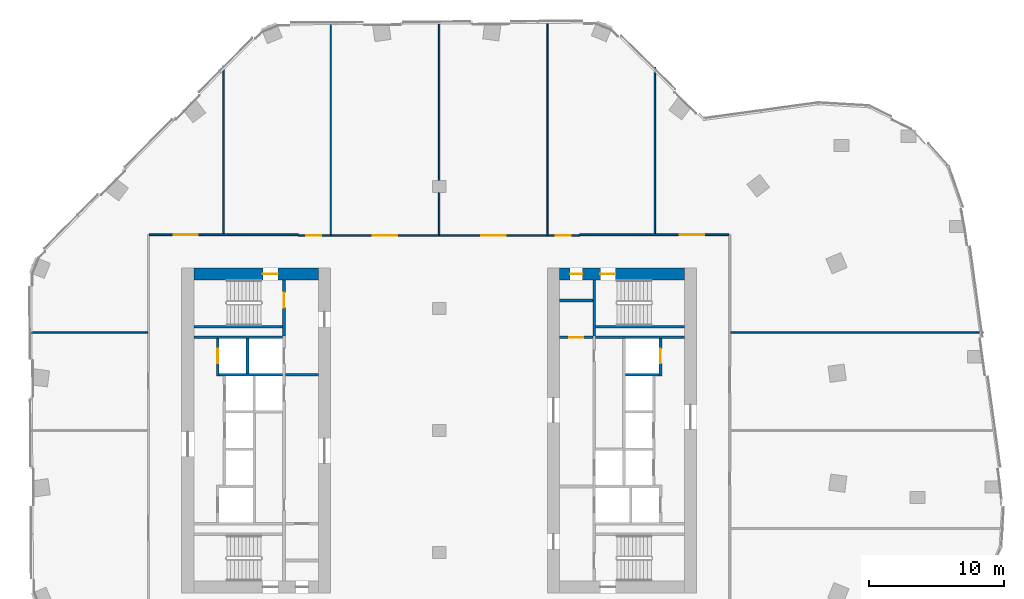
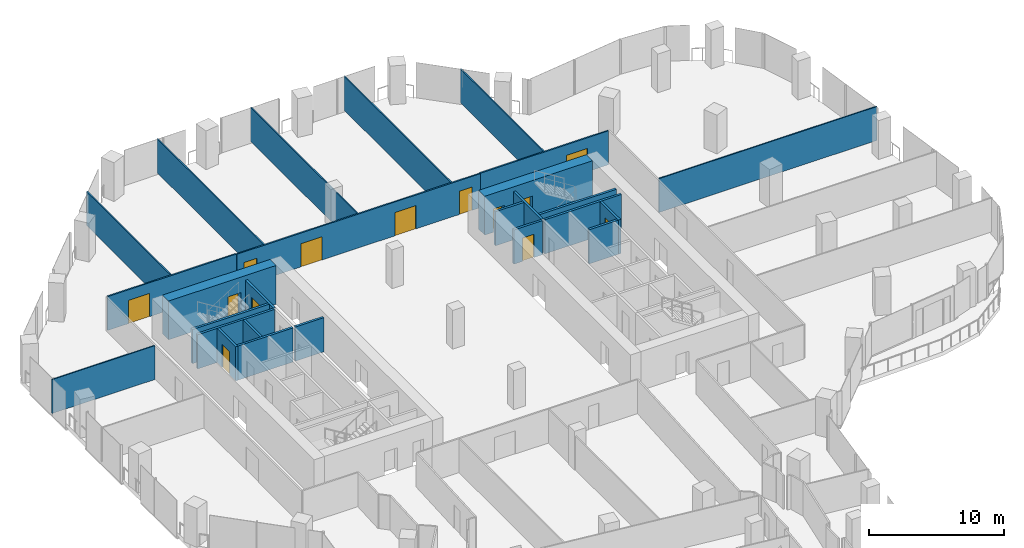
# One storey, part 23 of 29: 26 walls, 13 doors, 13 openings.
"""IFC4 building model written with IfcOpenShell, lengths in metres."""

from ifc_helpers import new_model, si_unit, direction, frame, frame_2d, origin, place, context, subcontext, project, spatial, rectangle, extrude, material, layer, layer_set, type_object, element, fill, save


model = new_model("IFC4")

# Units and contexts
model_context = context("Model", 3, precision=1e-05, world=origin(), true_north=direction((0.0, 1.0)))
body_context = subcontext(model_context, "Body", "Model", "MODEL_VIEW")
ifc_project = project(units=[si_unit("LENGTHUNIT", "METRE"), si_unit("AREAUNIT", "SQUARE_METRE"), si_unit("VOLUMEUNIT", "CUBIC_METRE"), si_unit("PLANEANGLEUNIT", "RADIAN"), si_unit("MASSUNIT", "GRAM", prefix="KILO")], contexts=[model_context])

# Site, building, storey
site_placement = place(None, origin())
site = spatial("IfcSite", under=ifc_project, at=site_placement, CompositionType="ELEMENT")
building_placement = place(site_placement, origin())
building = spatial("IfcBuilding", under=site, at=building_placement, Name="Orlundy Tower", CompositionType="ELEMENT")
storey_placement = place(building_placement, frame((0.0, 0.0, 188.60009765625)))
storey = spatial("IfcBuildingStorey", under=building, at=storey_placement, Name="L49", CompositionType="ELEMENT", Elevation=188.60009765625)

# Wall, opening, door
ifc_material_1 = material(Name="Concrete C70/85", Category="concrete")
ifc_layer_1 = layer(ifc_material_1, 0.89990234375)
ifc_layer_set_1 = layer_set([ifc_layer_1], Name="CORE WALL 900 C70/85")
wall_type_1 = type_object("IfcWallType", Name="CORE WALL 900 C70/85", PredefinedType="SHEAR", material=ifc_layer_set_1)
wall_1_placement = place(storey_placement, frame((-18.10009765625, 11.550048828125, 0.0), z_axis=(0.0, 0.0, 1.0), x_axis=(1.0, 0.0, 0.0)))
wall_1 = element("IfcWall", 1, at=wall_1_placement, inside=storey, type_object=wall_type_1, Name="Core wall W-N L49", PredefinedType="SHEAR", context=body_context, shape_type="SweptSolid", body=[
    extrude(rectangle(XDim=9.2001953125, YDim=0.89990234375, at=frame_2d((4.60009765625, 0.0))), origin(), (0.0, 0.0, 1.0), 3.5),
])
opening_1_placement = place(wall_1_placement, frame((5.10009765625, 0.0, 0.0)))
opening_1 = element("IfcOpeningElement", 2, at=opening_1_placement, cuts=wall_1, Name="Opening 38011", PredefinedType="OPENING", context=body_context, shape_type="SweptSolid", body=[
    extrude(rectangle(XDim=1.10009765625, YDim=2.10009765625, at=frame_2d((0.550048828125, 1.050048828125))), frame((0.0, 0.4599609375, 0.0), z_axis=(0.0, -1.0, 0.0), x_axis=(1.0, 0.0, 0.0)), (0.0, 0.0, 1.0), 0.919921875),
])
ifc_material_2 = material(Name="Steel door set", Category="steel")
door_type_1 = type_object("IfcDoorType", Name="Stair Door 1100x2100", OperationType="SINGLE_SWING_LEFT", PredefinedType="DOOR", material=ifc_material_2)
door_1_placement = place(opening_1_placement, origin())
door_1 = element("IfcDoor", 3, at=door_1_placement, inside=storey, type_object=door_type_1, Name="Stair door 38011", OperationType="SINGLE_SWING_RIGHT", OverallHeight=2.10009765625, OverallWidth=1.10009765625, PredefinedType="DOOR", context=body_context, shape_type="SweptSolid", body=[
    extrude(rectangle(XDim=1.10009765625, YDim=2.10009765625, at=frame_2d((0.550048828125, 1.050048828125))), frame((0.0, 0.02490234375, 0.0), z_axis=(0.0, -1.0, 0.0), x_axis=(1.0, 0.0, 0.0)), (0.0, 0.0, 1.0), 0.050048828125),
])
fill(opening_1, door_1)

# Wall, openings, doors
wall_2_placement = place(storey_placement, frame((8.89990234375, 11.550048828125, 0.0), z_axis=(0.0, 0.0, 1.0), x_axis=(1.0, 0.0, 0.0)))
wall_2 = element("IfcWall", 4, at=wall_2_placement, inside=storey, type_object=wall_type_1, Name="Core wall E-N L49", PredefinedType="SHEAR", context=body_context, shape_type="SweptSolid", body=[
    extrude(rectangle(XDim=9.2001953125, YDim=0.89990234375, at=frame_2d((4.60009765625, 0.0))), origin(), (0.0, 0.0, 1.0), 3.5),
])
opening_2_placement = place(wall_2_placement, frame((3.0, 0.0, 0.0)))
opening_2 = element("IfcOpeningElement", 5, at=opening_2_placement, cuts=wall_2, Name="Opening 38061", PredefinedType="OPENING", context=body_context, shape_type="SweptSolid", body=[
    extrude(rectangle(XDim=1.10009765625, YDim=2.10009765625, at=frame_2d((0.550048828125, 1.050048828125))), frame((0.0, 0.4599609375, 0.0), z_axis=(0.0, -1.0, 0.0), x_axis=(1.0, 0.0, 0.0)), (0.0, 0.0, 1.0), 0.919921875),
])
opening_3_placement = place(wall_2_placement, frame((0.77001953125, 0.0, 0.0)))
opening_3 = element("IfcOpeningElement", 6, at=opening_3_placement, cuts=wall_2, Name="Opening 38063", PredefinedType="OPENING", context=body_context, shape_type="SweptSolid", body=[
    extrude(rectangle(XDim=0.89990234375, YDim=2.10009765625, at=frame_2d((0.449951171875, 1.050048828125))), frame((0.0, 0.4599609375, 0.0), z_axis=(0.0, -1.0, 0.0), x_axis=(1.0, 0.0, 0.0)), (0.0, 0.0, 1.0), 0.919921875),
])
ifc_material_3 = material(Name="Timber door set", Category="wood")
door_type_2 = type_object("IfcDoorType", Name="Room Door 900x2100", OperationType="SINGLE_SWING_LEFT", PredefinedType="DOOR", material=ifc_material_3)
door_2_placement = place(opening_3_placement, origin())
door_2 = element("IfcDoor", 7, at=door_2_placement, inside=storey, type_object=door_type_2, Name="Store door 38063", OperationType="SINGLE_SWING_LEFT", OverallHeight=2.10009765625, OverallWidth=0.89990234375, PredefinedType="DOOR", context=body_context, shape_type="SweptSolid", body=[
    extrude(rectangle(XDim=0.89990234375, YDim=2.10009765625, at=frame_2d((0.449951171875, 1.050048828125))), frame((0.0, 0.02490234375, 0.0), z_axis=(0.0, -1.0, 0.0), x_axis=(1.0, 0.0, 0.0)), (0.0, 0.0, 1.0), 0.050048828125),
])
fill(opening_3, door_2)
door_3_placement = place(opening_2_placement, origin())
door_3 = element("IfcDoor", 8, at=door_3_placement, inside=storey, type_object=door_type_1, Name="Stair door 38061", OperationType="SINGLE_SWING_LEFT", OverallHeight=2.10009765625, OverallWidth=1.10009765625, PredefinedType="DOOR", context=body_context, shape_type="SweptSolid", body=[
    extrude(rectangle(XDim=1.10009765625, YDim=2.10009765625, at=frame_2d((0.550048828125, 1.050048828125))), frame((0.0, 0.02490234375, 0.0), z_axis=(0.0, -1.0, 0.0), x_axis=(1.0, 0.0, 0.0)), (0.0, 0.0, 1.0), 0.050048828125),
])
fill(opening_2, door_3)

# Walls
ifc_material_4 = material(Name="Gypsum board partition")
ifc_layer_2 = layer(ifc_material_4, 0.10009765625)
ifc_layer_set_2 = layer_set([ifc_layer_2], Name="Floor partition 100")
wall_type_2 = type_object("IfcWallType", Name="Floor partition 100", PredefinedType="PARTITIONING", material=ifc_layer_set_2)
wall_3_placement = place(storey_placement, frame((-30.29296875, 7.22412109375, 0.0), z_axis=(0.0, 0.0, 1.0), x_axis=(1.0, 0.0, 0.0)))
element("IfcWall", 9, at=wall_3_placement, inside=storey, type_object=wall_type_2, Name="wall-int-L49-037", PredefinedType="PARTITIONING", context=body_context, shape_type="SweptSolid", body=[
    extrude(rectangle(XDim=8.781005859375, YDim=0.10009765625, at=frame_2d((4.390625, 0.0))), origin(), (0.0, 0.0, 1.0), 3.059814453125),
])
wall_4_placement = place(storey_placement, frame((21.511962890625, 7.22412109375, 0.0), z_axis=(0.0, 0.0, 1.0), x_axis=(1.0, 0.0, 0.0)))
element("IfcWall", 10, at=wall_4_placement, inside=storey, type_object=wall_type_2, Name="wall-int-L49-038", PredefinedType="PARTITIONING", context=body_context, shape_type="SweptSolid", body=[
    extrude(rectangle(XDim=18.6279296875, YDim=0.10009765625, at=frame_2d((9.31396484375, 0.0))), origin(), (0.0, 0.0, 1.0), 3.059814453125),
])
wall_5_placement = place(storey_placement, frame((15.9208984375, 14.513916015625, 0.0), z_axis=(0.0, 0.0, 1.0), x_axis=(0.0, 1.0, 0.0)))
element("IfcWall", 11, at=wall_5_placement, inside=storey, type_object=wall_type_2, Name="wall-int-L49-073", PredefinedType="PARTITIONING", context=body_context, shape_type="SweptSolid", body=[
    extrude(rectangle(XDim=12.283203125, YDim=0.10009765625, at=frame_2d((6.1416015625, 0.0))), origin(), (0.0, 0.0, 1.0), 3.059814453125),
])
wall_6_placement = place(storey_placement, frame((8.0, 14.462890625, 0.0), z_axis=(0.0, 0.0, 1.0), x_axis=(0.0, 1.0, 0.0)))
element("IfcWall", 12, at=wall_6_placement, inside=storey, type_object=wall_type_2, Name="wall-int-L49-076", PredefinedType="PARTITIONING", context=body_context, shape_type="SweptSolid", body=[
    extrude(rectangle(XDim=15.834228515625, YDim=0.10009765625, at=frame_2d((7.9169921875, 0.0))), origin(), (0.0, 0.0, 1.0), 3.059814453125),
])
wall_7_placement = place(storey_placement, frame((0.0, 14.462890625, 0.0), z_axis=(0.0, 0.0, 1.0), x_axis=(0.0, 1.0, 0.0)))
element("IfcWall", 13, at=wall_7_placement, inside=storey, type_object=wall_type_2, Name="wall-int-L49-080", PredefinedType="PARTITIONING", context=body_context, shape_type="SweptSolid", body=[
    extrude(rectangle(XDim=15.7880859375, YDim=0.10009765625, at=frame_2d((7.89404296875, 0.0))), origin(), (0.0, 0.0, 1.0), 3.059814453125),
])
wall_8_placement = place(storey_placement, frame((-8.0, 14.462890625, 0.0), z_axis=(0.0, 0.0, 1.0), x_axis=(0.0, 1.0, 0.0)))
element("IfcWall", 14, at=wall_8_placement, inside=storey, type_object=wall_type_2, Name="wall-int-L49-083", PredefinedType="PARTITIONING", context=body_context, shape_type="SweptSolid", body=[
    extrude(rectangle(XDim=15.7412109375, YDim=0.10009765625, at=frame_2d((7.87060546875, 0.0))), origin(), (0.0, 0.0, 1.0), 3.059814453125),
])
wall_9_placement = place(storey_placement, frame((-15.919921875, 14.513916015625, 0.0), z_axis=(0.0, 0.0, 1.0), x_axis=(0.0, 1.0, 0.0)))
element("IfcWall", 15, at=wall_9_placement, inside=storey, type_object=wall_type_2, Name="wall-int-L49-084", PredefinedType="PARTITIONING", context=body_context, shape_type="SweptSolid", body=[
    extrude(rectangle(XDim=12.4111328125, YDim=0.10009765625, at=frame_2d((6.20556640625, 0.0))), origin(), (0.0, 0.0, 1.0), 3.059814453125),
])

# Wall, openings, doors
ifc_material_5 = material(Name="Gypsum board partition, double layer")
ifc_layer_3 = layer(ifc_material_5, 0.125)
ifc_layer_set_3 = layer_set([ifc_layer_3], Name="Floor partition 125")
wall_type_3 = type_object("IfcWallType", Name="Floor partition 125", PredefinedType="PARTITIONING", material=ifc_layer_set_3)
wall_10_placement = place(storey_placement, frame((-10.389892578125, 14.40087890625, 0.0), z_axis=(0.0, 0.0, 1.0), x_axis=(1.0, 0.0, 0.0)))
wall_10 = element("IfcWall", 16, at=wall_10_placement, inside=storey, type_object=wall_type_3, Name="wall-int-L49-039", PredefinedType="PARTITIONING", context=body_context, shape_type="SweptSolid", body=[
    extrude(rectangle(XDim=20.781005859375, YDim=0.125, at=frame_2d((10.390625, 0.0))), origin(), (0.0, 0.0, 1.0), 3.059814453125),
])
opening_4_placement = place(wall_10_placement, frame((18.989990234375, 0.0, 0.0)))
opening_4 = element("IfcOpeningElement", 17, at=opening_4_placement, cuts=wall_10, Name="Opening 38121", PredefinedType="OPENING", context=body_context, shape_type="SweptSolid", body=[
    extrude(rectangle(XDim=1.10009765625, YDim=2.10009765625, at=frame_2d((0.550048828125, 1.050048828125))), frame((0.0, 0.072509765625, 0.0), z_axis=(0.0, -1.0, 0.0), x_axis=(1.0, 0.0, 0.0)), (0.0, 0.0, 1.0), 0.14501953125),
])
opening_5_placement = place(wall_10_placement, frame((13.489990234375, 0.0, 0.0)))
opening_5 = element("IfcOpeningElement", 18, at=opening_5_placement, cuts=wall_10, Name="Opening 38122", PredefinedType="OPENING", context=body_context, shape_type="SweptSolid", body=[
    extrude(rectangle(XDim=1.800048828125, YDim=2.10009765625, at=frame_2d((0.89990234375, 1.050048828125))), frame((0.0, 0.072509765625, 0.0), z_axis=(0.0, -1.0, 0.0), x_axis=(1.0, 0.0, 0.0)), (0.0, 0.0, 1.0), 0.14501953125),
])
opening_6_placement = place(wall_10_placement, frame((5.489990234375, 0.0, 0.0)))
opening_6 = element("IfcOpeningElement", 19, at=opening_6_placement, cuts=wall_10, Name="Opening 38123", PredefinedType="OPENING", context=body_context, shape_type="SweptSolid", body=[
    extrude(rectangle(XDim=1.800048828125, YDim=2.10009765625, at=frame_2d((0.89990234375, 1.050048828125))), frame((0.0, 0.072509765625, 0.0), z_axis=(0.0, -1.0, 0.0), x_axis=(1.0, 0.0, 0.0)), (0.0, 0.0, 1.0), 0.14501953125),
])
opening_7_placement = place(wall_10_placement, frame((0.60009765625, 0.0, 0.0)))
opening_7 = element("IfcOpeningElement", 20, at=opening_7_placement, cuts=wall_10, Name="Opening 38124", PredefinedType="OPENING", context=body_context, shape_type="SweptSolid", body=[
    extrude(rectangle(XDim=1.10009765625, YDim=2.10009765625, at=frame_2d((0.550048828125, 1.050048828125))), frame((0.0, 0.072509765625, 0.0), z_axis=(0.0, -1.0, 0.0), x_axis=(1.0, 0.0, 0.0)), (0.0, 0.0, 1.0), 0.14501953125),
])
ifc_material_6 = material(Name="Timber door leaf", Category="wood")
door_type_3 = type_object("IfcDoorType", Name="Floor door double 1800 FD30S", OperationType="NOTDEFINED", PredefinedType="DOOR", material=ifc_material_6)
door_4_placement = place(opening_5_placement, origin())
door_4 = element("IfcDoor", 21, at=door_4_placement, inside=storey, type_object=door_type_3, Name="Door 38122", OperationType="DOUBLE_DOOR_SINGLE_SWING", OverallHeight=2.10009765625, OverallWidth=1.800048828125, PredefinedType="DOOR", context=body_context, shape_type="SweptSolid", body=[
    extrude(rectangle(XDim=1.800048828125, YDim=2.10009765625, at=frame_2d((0.89990234375, 1.050048828125))), frame((0.0, 0.02490234375, 0.0), z_axis=(0.0, -1.0, 0.0), x_axis=(1.0, 0.0, 0.0)), (0.0, 0.0, 1.0), 0.050048828125),
])
fill(opening_5, door_4)
door_5_placement = place(opening_6_placement, origin())
door_5 = element("IfcDoor", 22, at=door_5_placement, inside=storey, type_object=door_type_3, Name="Door 38123", OperationType="DOUBLE_DOOR_SINGLE_SWING", OverallHeight=2.10009765625, OverallWidth=1.800048828125, PredefinedType="DOOR", context=body_context, shape_type="SweptSolid", body=[
    extrude(rectangle(XDim=1.800048828125, YDim=2.10009765625, at=frame_2d((0.89990234375, 1.050048828125))), frame((0.0, 0.02490234375, 0.0), z_axis=(0.0, -1.0, 0.0), x_axis=(1.0, 0.0, 0.0)), (0.0, 0.0, 1.0), 0.050048828125),
])
fill(opening_6, door_5)
ifc_material_7 = material(Name="Timber door leaf", Category="wood")
door_type_4 = type_object("IfcDoorType", Name="Floor door xwide 1100 FD30S", OperationType="NOTDEFINED", PredefinedType="DOOR", material=ifc_material_7)
door_6_placement = place(opening_4_placement, origin())
door_6 = element("IfcDoor", 23, at=door_6_placement, inside=storey, type_object=door_type_4, Name="Door 38121", OperationType="SINGLE_SWING_RIGHT", OverallHeight=2.10009765625, OverallWidth=1.10009765625, PredefinedType="DOOR", context=body_context, shape_type="SweptSolid", body=[
    extrude(rectangle(XDim=1.10009765625, YDim=2.10009765625, at=frame_2d((0.550048828125, 1.050048828125))), frame((0.0, 0.02490234375, 0.0), z_axis=(0.0, -1.0, 0.0), x_axis=(1.0, 0.0, 0.0)), (0.0, 0.0, 1.0), 0.050048828125),
])
fill(opening_4, door_6)
door_7_placement = place(opening_7_placement, origin())
door_7 = element("IfcDoor", 24, at=door_7_placement, inside=storey, type_object=door_type_4, Name="Door 38124", OperationType="SINGLE_SWING_LEFT", OverallHeight=2.10009765625, OverallWidth=1.10009765625, PredefinedType="DOOR", context=body_context, shape_type="SweptSolid", body=[
    extrude(rectangle(XDim=1.10009765625, YDim=2.10009765625, at=frame_2d((0.550048828125, 1.050048828125))), frame((0.0, 0.02490234375, 0.0), z_axis=(0.0, -1.0, 0.0), x_axis=(1.0, 0.0, 0.0)), (0.0, 0.0, 1.0), 0.050048828125),
])
fill(opening_7, door_7)

# Wall, opening, door
wall_11_placement = place(storey_placement, frame((-21.386962890625, 14.450927734375, 0.0), z_axis=(0.0, 0.0, 1.0), x_axis=(1.0, 0.0, 0.0)))
wall_11 = element("IfcWall", 25, at=wall_11_placement, inside=storey, type_object=wall_type_3, Name="wall-int-L49-040", PredefinedType="PARTITIONING", context=body_context, shape_type="SweptSolid", body=[
    extrude(rectangle(XDim=10.995849609375, YDim=0.125, at=frame_2d((5.498046875, 0.0))), origin(), (0.0, 0.0, 1.0), 3.059814453125),
])
opening_8_placement = place(wall_11_placement, frame((1.78759765625, 0.0, 0.0)))
opening_8 = element("IfcOpeningElement", 26, at=opening_8_placement, cuts=wall_11, Name="Opening 38125", PredefinedType="OPENING", context=body_context, shape_type="SweptSolid", body=[
    extrude(rectangle(XDim=1.800048828125, YDim=2.10009765625, at=frame_2d((0.89990234375, 1.050048828125))), frame((0.0, 0.072509765625, 0.0), z_axis=(0.0, -1.0, 0.0), x_axis=(1.0, 0.0, 0.0)), (0.0, 0.0, 1.0), 0.14501953125),
])
door_8_placement = place(opening_8_placement, origin())
door_8 = element("IfcDoor", 27, at=door_8_placement, inside=storey, type_object=door_type_3, Name="Door 38125", OperationType="DOUBLE_DOOR_SINGLE_SWING", OverallHeight=2.10009765625, OverallWidth=1.800048828125, PredefinedType="DOOR", context=body_context, shape_type="SweptSolid", body=[
    extrude(rectangle(XDim=1.800048828125, YDim=2.10009765625, at=frame_2d((0.89990234375, 1.050048828125))), frame((0.0, 0.02490234375, 0.0), z_axis=(0.0, -1.0, 0.0), x_axis=(1.0, 0.0, 0.0)), (0.0, 0.0, 1.0), 0.050048828125),
])
fill(opening_8, door_8)

wall_12_placement = place(storey_placement, frame((10.39111328125, 14.450927734375, 0.0), z_axis=(0.0, 0.0, 1.0), x_axis=(1.0, 0.0, 0.0)))
wall_12 = element("IfcWall", 28, at=wall_12_placement, inside=storey, type_object=wall_type_3, Name="wall-int-L49-041", PredefinedType="PARTITIONING", context=body_context, shape_type="SweptSolid", body=[
    extrude(rectangle(XDim=10.995849609375, YDim=0.125, at=frame_2d((5.498046875, 0.0))), origin(), (0.0, 0.0, 1.0), 3.059814453125),
])
opening_9_placement = place(wall_12_placement, frame((7.3798828125, 0.0, 0.0)))
opening_9 = element("IfcOpeningElement", 29, at=opening_9_placement, cuts=wall_12, Name="Opening 38120", PredefinedType="OPENING", context=body_context, shape_type="SweptSolid", body=[
    extrude(rectangle(XDim=1.800048828125, YDim=2.10009765625, at=frame_2d((0.89990234375, 1.050048828125))), frame((0.0, 0.072509765625, 0.0), z_axis=(0.0, -1.0, 0.0), x_axis=(1.0, 0.0, 0.0)), (0.0, 0.0, 1.0), 0.14501953125),
])
door_9_placement = place(opening_9_placement, origin())
door_9 = element("IfcDoor", 30, at=door_9_placement, inside=storey, type_object=door_type_3, Name="Door 38120", OperationType="DOUBLE_DOOR_SINGLE_SWING", OverallHeight=2.10009765625, OverallWidth=1.800048828125, PredefinedType="DOOR", context=body_context, shape_type="SweptSolid", body=[
    extrude(rectangle(XDim=1.800048828125, YDim=2.10009765625, at=frame_2d((0.89990234375, 1.050048828125))), frame((0.0, 0.02490234375, 0.0), z_axis=(0.0, -1.0, 0.0), x_axis=(1.0, 0.0, 0.0)), (0.0, 0.0, 1.0), 0.050048828125),
])
fill(opening_9, door_9)

ifc_material_8 = material(Name="Concrete C40/50", Category="concrete")
ifc_layer_4 = layer(ifc_material_8, 0.199951171875)
ifc_layer_set_4 = layer_set([ifc_layer_4], Name="Load-bearing Shaft Wall 200")
wall_type_4 = type_object("IfcWallType", Name="Load-bearing Shaft Wall 200", PredefinedType="SOLIDWALL", material=ifc_layer_set_4)
wall_13_placement = place(storey_placement, frame((-11.43994140625, 6.97509765625, 0.0), z_axis=(0.0, 0.0, 1.0), x_axis=(0.0, 1.0, 0.0)))
wall_13 = element("IfcWall", 31, at=wall_13_placement, inside=storey, type_object=wall_type_4, Name="Shaft wall W38-stair-end-n", PredefinedType="SOLIDWALL", context=body_context, shape_type="SweptSolid", body=[
    extrude(rectangle(XDim=4.125, YDim=0.199951171875, at=frame_2d((2.0625, 0.0))), origin(), (0.0, 0.0, 1.0), 3.079833984375),
])
opening_10_placement = place(wall_13_placement, frame((2.10009765625, 0.0, 0.0)))
opening_10 = element("IfcOpeningElement", 32, at=opening_10_placement, cuts=wall_13, Name="Opening 38013", PredefinedType="OPENING", context=body_context, shape_type="SweptSolid", body=[
    extrude(rectangle(XDim=1.10009765625, YDim=2.10009765625, at=frame_2d((0.550048828125, 1.050048828125))), frame((0.0, 0.110107421875, 0.0), z_axis=(0.0, -1.0, 0.0), x_axis=(1.0, 0.0, 0.0)), (0.0, 0.0, 1.0), 0.22021484375),
])
ifc_material_9 = material(Name="Steel door set", Category="steel")
door_type_5 = type_object("IfcDoorType", Name="Fire-fighting Lobby Door 1100x2100", OperationType="SINGLE_SWING_LEFT", PredefinedType="DOOR", material=ifc_material_9)
door_10_placement = place(opening_10_placement, origin())
door_10 = element("IfcDoor", 33, at=door_10_placement, inside=storey, type_object=door_type_5, Name="Fire-fighting lobby to stair door 38013", OperationType="SINGLE_SWING_RIGHT", OverallHeight=2.10009765625, OverallWidth=1.10009765625, PredefinedType="DOOR", context=body_context, shape_type="SweptSolid", body=[
    extrude(rectangle(XDim=1.10009765625, YDim=2.10009765625, at=frame_2d((0.550048828125, 1.050048828125))), frame((0.0, 0.02490234375, 0.0), z_axis=(0.0, -1.0, 0.0), x_axis=(1.0, 0.0, 0.0)), (0.0, 0.0, 1.0), 0.050048828125),
])
fill(opening_10, door_10)

# Walls
wall_14_placement = place(storey_placement, frame((-11.5400390625, 7.64990234375, 0.0), z_axis=(0.0, 0.0, 1.0), x_axis=(-1.0, 0.0, 0.0)))
element("IfcWall", 34, at=wall_14_placement, inside=storey, type_object=wall_type_4, Name="Shaft wall W38-stair-side-n", PredefinedType="SOLIDWALL", context=body_context, shape_type="SweptSolid", body=[
    extrude(rectangle(XDim=6.56005859375, YDim=0.199951171875, at=frame_2d((3.280029296875, 0.0))), origin(), (0.0, 0.0, 1.0), 3.079833984375),
])
wall_15_placement = place(storey_placement, frame((11.43994140625, 11.10009765625, 0.0), z_axis=(0.0, 0.0, 1.0), x_axis=(0.0, -1.0, 0.0)))
element("IfcWall", 35, at=wall_15_placement, inside=storey, type_object=wall_type_4, Name="Shaft wall E38-stair-end-s", PredefinedType="SOLIDWALL", context=body_context, shape_type="SweptSolid", body=[
    extrude(rectangle(XDim=4.125, YDim=0.199951171875, at=frame_2d((2.0625, 0.0))), origin(), (0.0, 0.0, 1.0), 3.079833984375),
])
wall_16_placement = place(storey_placement, frame((11.5400390625, 7.64990234375, 0.0), z_axis=(0.0, 0.0, 1.0), x_axis=(1.0, 0.0, 0.0)))
element("IfcWall", 36, at=wall_16_placement, inside=storey, type_object=wall_type_4, Name="Shaft wall E38-stair-side-s", PredefinedType="SOLIDWALL", context=body_context, shape_type="SweptSolid", body=[
    extrude(rectangle(XDim=6.56005859375, YDim=0.199951171875, at=frame_2d((3.280029296875, 0.0))), origin(), (0.0, 0.0, 1.0), 3.079833984375),
])
ifc_material_10 = material(Name="Gypsum board partition on steel studs", Category="steel")
ifc_layer_5 = layer(ifc_material_10, 0.199951171875)
ifc_layer_set_5 = layer_set([ifc_layer_5], Name="Partition 200")
wall_type_5 = type_object("IfcWallType", Name="Partition 200", PredefinedType="PARTITIONING", material=ifc_layer_set_5)
wall_17_placement = place(storey_placement, frame((-8.89990234375, 4.125, 0.0), z_axis=(0.0, 0.0, 1.0), x_axis=(-1.0, 0.0, 0.0)))
element("IfcWall", 37, at=wall_17_placement, inside=storey, type_object=wall_type_5, Name="Partition wall W38-lobby-n", PredefinedType="PARTITIONING", context=body_context, shape_type="SweptSolid", body=[
    extrude(rectangle(XDim=2.440185546875, YDim=0.199951171875, at=frame_2d((1.22021484375, 0.0))), origin(), (0.0, 0.0, 1.0), 3.079833984375),
])

# Wall, opening, door
wall_18_placement = place(storey_placement, frame((8.89990234375, 6.875, 0.0), z_axis=(0.0, 0.0, 1.0), x_axis=(1.0, 0.0, 0.0)))
wall_18 = element("IfcWall", 38, at=wall_18_placement, inside=storey, type_object=wall_type_5, Name="Partition wall E38-end-s", PredefinedType="PARTITIONING", context=body_context, shape_type="SweptSolid", body=[
    extrude(rectangle(XDim=2.440185546875, YDim=0.199951171875, at=frame_2d((1.22021484375, 0.0))), origin(), (0.0, 0.0, 1.0), 3.079833984375),
])
opening_11_placement = place(wall_18_placement, frame((0.719970703125, 0.0, 0.0)))
opening_11 = element("IfcOpeningElement", 39, at=opening_11_placement, cuts=wall_18, Name="Opening 38064", PredefinedType="OPENING", context=body_context, shape_type="SweptSolid", body=[
    extrude(rectangle(XDim=1.0, YDim=2.10009765625, at=frame_2d((0.5, 1.050048828125))), frame((0.0, 0.110107421875, 0.0), z_axis=(0.0, -1.0, 0.0), x_axis=(1.0, 0.0, 0.0)), (0.0, 0.0, 1.0), 0.22021484375),
])
ifc_material_11 = material(Name="Timber door set", Category="wood")
door_type_6 = type_object("IfcDoorType", Name="Accessible Door 1000x2100", OperationType="SINGLE_SWING_LEFT", PredefinedType="DOOR", material=ifc_material_11)
door_11_placement = place(opening_11_placement, origin())
door_11 = element("IfcDoor", 40, at=door_11_placement, inside=storey, type_object=door_type_6, Name="Accessible WC door 38064", OperationType="SINGLE_SWING_RIGHT", OverallHeight=2.10009765625, OverallWidth=1.0, PredefinedType="DOOR", context=body_context, shape_type="SweptSolid", body=[
    extrude(rectangle(XDim=1.0, YDim=2.10009765625, at=frame_2d((0.5, 1.050048828125))), frame((0.0, 0.02490234375, 0.0), z_axis=(0.0, -1.0, 0.0), x_axis=(1.0, 0.0, 0.0)), (0.0, 0.0, 1.0), 0.050048828125),
])
fill(opening_11, door_11)

# Walls
wall_19_placement = place(storey_placement, frame((8.89990234375, 9.60009765625, 0.0), z_axis=(0.0, 0.0, 1.0), x_axis=(1.0, 0.0, 0.0)))
element("IfcWall", 41, at=wall_19_placement, inside=storey, type_object=wall_type_5, Name="Partition wall E38-room-s0", PredefinedType="PARTITIONING", context=body_context, shape_type="SweptSolid", body=[
    extrude(rectangle(XDim=2.440185546875, YDim=0.199951171875, at=frame_2d((1.22021484375, 0.0))), origin(), (0.0, 0.0, 1.0), 3.079833984375),
])
ifc_material_12 = material(Name="Fire-rated blockwork shaft wall", Category="masonry")
ifc_layer_6 = layer(ifc_material_12, 0.199951171875)
ifc_layer_set_6 = layer_set([ifc_layer_6], Name="Shaft Wall 200")
wall_type_6 = type_object("IfcWallType", Name="Shaft Wall 200", PredefinedType="SOLIDWALL", material=ifc_layer_set_6)
wall_20_placement = place(storey_placement, frame((-11.5400390625, 6.875, 0.0), z_axis=(0.0, 0.0, 1.0), x_axis=(-1.0, 0.0, 0.0)))
element("IfcWall", 42, at=wall_20_placement, inside=storey, type_object=wall_type_6, Name="Shaft wall W38-zone-n", PredefinedType="SOLIDWALL", context=body_context, shape_type="SweptSolid", body=[
    extrude(rectangle(XDim=6.56005859375, YDim=0.199951171875, at=frame_2d((3.280029296875, 0.0))), origin(), (0.0, 0.0, 1.0), 3.079833984375),
])
wall_21_placement = place(storey_placement, frame((-11.5400390625, 4.125, 0.0), z_axis=(0.0, 0.0, 1.0), x_axis=(-1.0, 0.0, 0.0)))
element("IfcWall", 43, at=wall_21_placement, inside=storey, type_object=wall_type_6, Name="Shaft wall W38-cross+4.125", PredefinedType="SOLIDWALL", context=body_context, shape_type="SweptSolid", body=[
    extrude(rectangle(XDim=4.699951171875, YDim=0.199951171875, at=frame_2d((2.35009765625, 0.0))), origin(), (0.0, 0.0, 1.0), 3.079833984375),
])
wall_22_placement = place(storey_placement, frame((-14.139892578125, 4.22509765625, 0.0), z_axis=(0.0, 0.0, 1.0), x_axis=(0.0, 1.0, 0.0)))
element("IfcWall", 44, at=wall_22_placement, inside=storey, type_object=wall_type_6, Name="Shaft wall W38-mid-b", PredefinedType="SOLIDWALL", context=body_context, shape_type="SweptSolid", body=[
    extrude(rectangle(XDim=2.5498046875, YDim=0.199951171875, at=frame_2d((1.27490234375, 0.0))), origin(), (0.0, 0.0, 1.0), 3.079833984375),
])

# Wall, opening, door
wall_23_placement = place(storey_placement, frame((-16.340087890625, 4.02490234375, 0.0), z_axis=(0.0, 0.0, 1.0), x_axis=(0.0, 1.0, 0.0)))
wall_23 = element("IfcWall", 45, at=wall_23_placement, inside=storey, type_object=wall_type_6, Name="Shaft wall W38-front-o-c", PredefinedType="SOLIDWALL", context=body_context, shape_type="SweptSolid", body=[
    extrude(rectangle(XDim=2.75, YDim=0.199951171875, at=frame_2d((1.375, 0.0))), origin(), (0.0, 0.0, 1.0), 3.079833984375),
])
opening_12_placement = place(wall_23_placement, frame((0.925048828125, 0.0, 0.0)))
opening_12 = element("IfcOpeningElement", 46, at=opening_12_placement, cuts=wall_23, Name="Opening 38006", PredefinedType="OPENING", context=body_context, shape_type="SweptSolid", body=[
    extrude(rectangle(XDim=1.10009765625, YDim=2.10009765625, at=frame_2d((0.550048828125, 1.050048828125))), frame((0.0, 0.110107421875, 0.0), z_axis=(0.0, -1.0, 0.0), x_axis=(1.0, 0.0, 0.0)), (0.0, 0.0, 1.0), 0.22021484375),
])
ifc_material_13 = material(Name="Steel door set", Category="steel")
door_type_7 = type_object("IfcDoorType", Name="Landing Door 1100x2100", OperationType="DOUBLE_DOOR_SLIDING", PredefinedType="DOOR", material=ifc_material_13)
door_12_placement = place(opening_12_placement, origin())
door_12 = element("IfcDoor", 47, at=door_12_placement, inside=storey, type_object=door_type_7, Name="Lift landing door LP-14 38006", OperationType="DOUBLE_DOOR_SLIDING", OverallHeight=2.10009765625, OverallWidth=1.10009765625, PredefinedType="DOOR", context=body_context, shape_type="SweptSolid", body=[
    extrude(rectangle(XDim=1.10009765625, YDim=2.10009765625, at=frame_2d((0.550048828125, 1.050048828125))), frame((0.0, 0.02490234375, 0.0), z_axis=(0.0, -1.0, 0.0), x_axis=(1.0, 0.0, 0.0)), (0.0, 0.0, 1.0), 0.050048828125),
])
fill(opening_12, door_12)

# Walls
wall_24_placement = place(storey_placement, frame((11.5400390625, 6.875, 0.0), z_axis=(0.0, 0.0, 1.0), x_axis=(1.0, 0.0, 0.0)))
element("IfcWall", 48, at=wall_24_placement, inside=storey, type_object=wall_type_6, Name="Shaft wall E38-zone-s", PredefinedType="SOLIDWALL", context=body_context, shape_type="SweptSolid", body=[
    extrude(rectangle(XDim=6.56005859375, YDim=0.199951171875, at=frame_2d((3.280029296875, 0.0))), origin(), (0.0, 0.0, 1.0), 3.079833984375),
])
wall_25_placement = place(storey_placement, frame((13.739990234375, 4.125, 0.0), z_axis=(0.0, 0.0, 1.0), x_axis=(1.0, 0.0, 0.0)))
element("IfcWall", 49, at=wall_25_placement, inside=storey, type_object=wall_type_6, Name="Shaft wall E38-cross-4.125", PredefinedType="SOLIDWALL", context=body_context, shape_type="SweptSolid", body=[
    extrude(rectangle(XDim=2.5, YDim=0.199951171875, at=frame_2d((1.25, 0.0))), origin(), (0.0, 0.0, 1.0), 3.079833984375),
])

# Wall, opening, door
wall_26_placement = place(storey_placement, frame((16.340087890625, 6.77490234375, 0.0), z_axis=(0.0, 0.0, 1.0), x_axis=(0.0, -1.0, 0.0)))
wall_26 = element("IfcWall", 50, at=wall_26_placement, inside=storey, type_object=wall_type_6, Name="Shaft wall E38-front-o-a", PredefinedType="SOLIDWALL", context=body_context, shape_type="SweptSolid", body=[
    extrude(rectangle(XDim=2.75, YDim=0.199951171875, at=frame_2d((1.375, 0.0))), origin(), (0.0, 0.0, 1.0), 3.079833984375),
])
opening_13_placement = place(wall_26_placement, frame((0.72509765625, 0.0, 0.0)))
opening_13 = element("IfcOpeningElement", 51, at=opening_13_placement, cuts=wall_26, Name="Opening 38050", PredefinedType="OPENING", context=body_context, shape_type="SweptSolid", body=[
    extrude(rectangle(XDim=1.10009765625, YDim=2.10009765625, at=frame_2d((0.550048828125, 1.050048828125))), frame((0.0, 0.110107421875, 0.0), z_axis=(0.0, -1.0, 0.0), x_axis=(1.0, 0.0, 0.0)), (0.0, 0.0, 1.0), 0.22021484375),
])
door_13_placement = place(opening_13_placement, origin())
door_13 = element("IfcDoor", 52, at=door_13_placement, inside=storey, type_object=door_type_7, Name="Lift landing door LV-02 38050", OperationType="DOUBLE_DOOR_SLIDING", OverallHeight=2.10009765625, OverallWidth=1.10009765625, PredefinedType="DOOR", context=body_context, shape_type="SweptSolid", body=[
    extrude(rectangle(XDim=1.10009765625, YDim=2.10009765625, at=frame_2d((0.550048828125, 1.050048828125))), frame((0.0, 0.02490234375, 0.0), z_axis=(0.0, -1.0, 0.0), x_axis=(1.0, 0.0, 0.0)), (0.0, 0.0, 1.0), 0.050048828125),
])
fill(opening_13, door_13)

save(model, "model.ifc")
